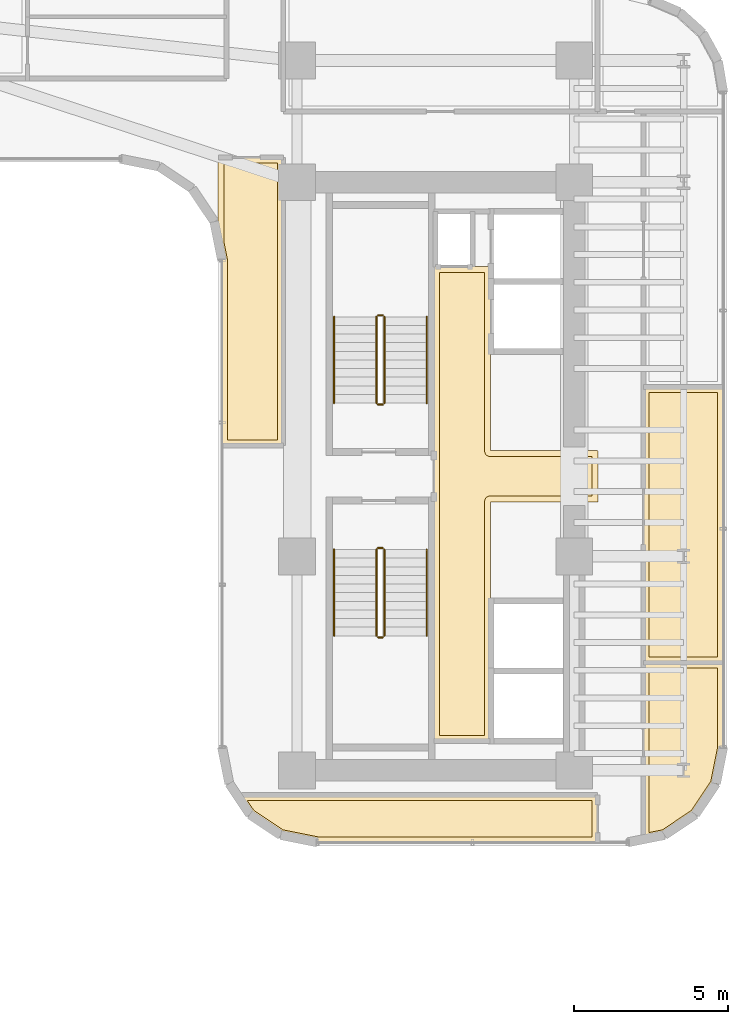
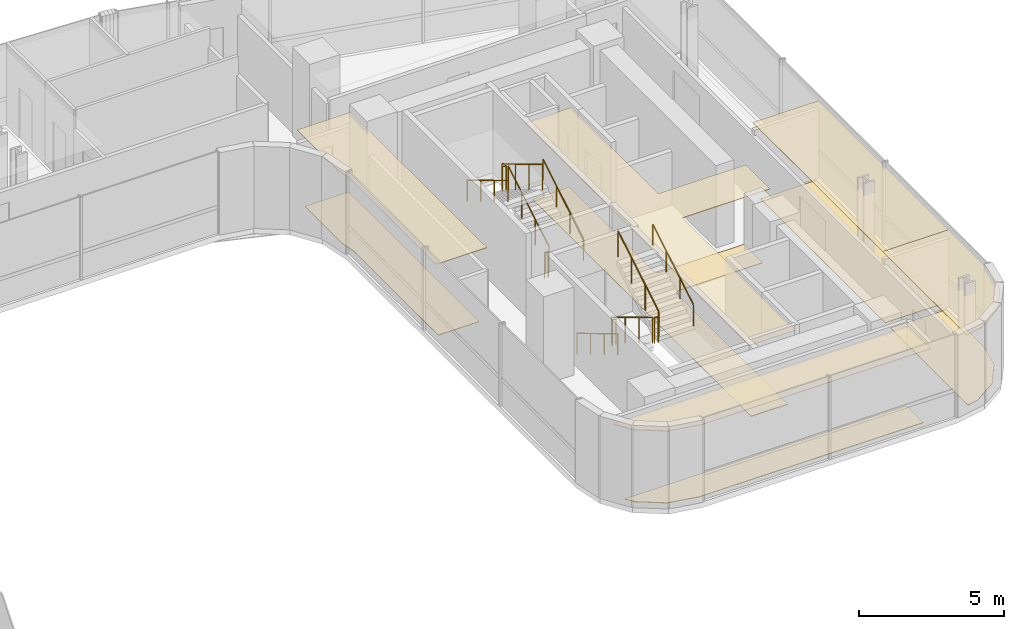
# One storey, part 33 of 35: 12 railings, 10 coverings.
"""IFC4 building model written with IfcOpenShell, lengths in metres."""

from ifc_helpers import new_model, si_unit, direction, frame, origin, origin_2d, place, context, subcontext, project, spatial, polyline, circle, outline, extrude, material, layer, layer_set, type_object, element, save


model = new_model("IFC4")

# Units and contexts
model_context = context("Model", 3, precision=1e-05, world=origin(), true_north=direction((0.0, 1.0)))
body_context = subcontext(model_context, "Body", "Model", "MODEL_VIEW")
ifc_project = project(units=[si_unit("LENGTHUNIT", "METRE"), si_unit("AREAUNIT", "SQUARE_METRE"), si_unit("VOLUMEUNIT", "CUBIC_METRE"), si_unit("PLANEANGLEUNIT", "RADIAN"), si_unit("MASSUNIT", "GRAM", prefix="KILO")], contexts=[model_context])

# Site, building, storey
site_placement = place(None, origin())
site = spatial("IfcSite", under=ifc_project, at=site_placement, CompositionType="ELEMENT")
building_placement = place(site_placement, origin())
building = spatial("IfcBuilding", under=site, at=building_placement, Name="Valdorenza Pilgrim Sanctuary Tower", CompositionType="ELEMENT")
storey_placement = place(building_placement, frame((0.0, 0.0, 105.699951171875)))
storey = spatial("IfcBuildingStorey", under=building, at=storey_placement, Name="L26", CompositionType="ELEMENT", Elevation=105.699951171875)

# Coverings
ifc_material_1 = material(Name="Micro-perforated acoustic mineral ceiling tile", Category="gypsum")
ifc_layer_1 = layer(ifc_material_1, 0.02490234375, Name="Micro-perforated acoustic mineral ceiling tile")
ifc_layer_set_1 = layer_set([ifc_layer_1], Name="Micro-perforated acoustic mineral ceiling tile")
covering_type_1 = type_object("IfcCoveringType", Name="COV-CLG-ACU", PredefinedType="CEILING", material=ifc_layer_set_1)
covering_1_placement = place(storey_placement, frame((0.0, 0.0, 3.16015625)))
element("IfcCovering", 1, at=covering_1_placement, inside=storey, type_object=covering_type_1, Name="L26 Core B Passenger Lift Lobby Acoustic Ceiling", PredefinedType="CEILING", context=body_context, shape_type="SweptSolid", body=[
    extrude(outline(polyline([(20.287109375, -0.814697265625), (20.287109375, 0.814697265625), (20.28662109375, 0.815185546875), (20.2861328125, 0.81640625), (20.28564453125, 0.81787109375), (20.285400390625, 0.819091796875), (20.28515625, 0.820556640625), (20.284912109375, 0.822021484375), (20.284912109375, 6.800048828125), (20.28515625, 6.801513671875), (20.285400390625, 6.802978515625), (20.28564453125, 6.804443359375), (20.2861328125, 6.8056640625), (20.286865234375, 6.80712890625), (20.28759765625, 6.808349609375), (20.288330078125, 6.8095703125), (20.289306640625, 6.810546875), (20.29052734375, 6.8115234375), (20.291748046875, 6.8125), (20.29296875, 6.813232421875), (20.294189453125, 6.81396484375), (20.295654296875, 6.814453125), (20.297119140625, 6.814697265625), (20.298583984375, 6.81494140625), (20.300048828125, 6.81494140625), (20.347900390625, 6.81494140625), (20.349365234375, 6.81494140625), (20.350830078125, 6.814697265625), (20.352294921875, 6.814453125), (20.353515625, 6.81396484375), (20.35498046875, 6.813232421875), (20.35546875, 6.81298828125), (21.544677734375, 6.81298828125), (21.545166015625, 6.813232421875), (21.54638671875, 6.81396484375), (21.5478515625, 6.814453125), (21.54931640625, 6.814697265625), (21.550537109375, 6.81494140625), (21.552001953125, 6.81494140625), (22.1201171875, 6.81494140625), (22.12158203125, 6.81494140625), (22.122802734375, 6.814697265625), (22.12451171875, 6.814453125), (22.125732421875, 6.81396484375), (22.127197265625, 6.813232421875), (22.12841796875, 6.8125), (22.12939453125, 6.8115234375), (22.130615234375, 6.810546875), (22.131591796875, 6.8095703125), (22.132568359375, 6.808349609375), (22.13330078125, 6.80712890625), (22.1337890625, 6.8056640625), (22.134521484375, 6.804443359375), (22.134765625, 6.802978515625), (22.135009765625, 6.801513671875), (22.135009765625, 6.800048828125), (22.135009765625, 0.8349609375), (25.60009765625, 0.8349609375), (25.6015625, 0.8349609375), (25.602783203125, 0.834716796875), (25.6044921875, 0.83447265625), (25.605712890625, 0.833984375), (25.607177734375, 0.833251953125), (25.6083984375, 0.83251953125), (25.609619140625, 0.83154296875), (25.610595703125, 0.83056640625), (25.611572265625, 0.82958984375), (25.612548828125, 0.828369140625), (25.61328125, 0.8271484375), (25.614013671875, 0.82568359375), (25.614501953125, 0.824462890625), (25.61474609375, 0.822998046875), (25.614990234375, 0.821533203125), (25.614990234375, 0.820068359375), (25.614990234375, -0.820068359375), (25.614990234375, -0.821533203125), (25.61474609375, -0.822998046875), (25.614501953125, -0.824462890625), (25.614013671875, -0.82568359375), (25.61328125, -0.8271484375), (25.612548828125, -0.828369140625), (25.611572265625, -0.82958984375), (25.610595703125, -0.83056640625), (25.609619140625, -0.83154296875), (25.6083984375, -0.83251953125), (25.607177734375, -0.833251953125), (25.605712890625, -0.833984375), (25.6044921875, -0.83447265625), (25.602783203125, -0.834716796875), (25.6015625, -0.8349609375), (25.60009765625, -0.8349609375), (22.135009765625, -0.8349609375), (22.135009765625, -8.60009765625), (22.135009765625, -8.6015625), (22.134765625, -8.602783203125), (22.134521484375, -8.6044921875), (22.1337890625, -8.605712890625), (22.13330078125, -8.607177734375), (22.132568359375, -8.6083984375), (22.131591796875, -8.609619140625), (22.130615234375, -8.610595703125), (22.12939453125, -8.611572265625), (22.12841796875, -8.612548828125), (22.127197265625, -8.61328125), (22.125732421875, -8.614013671875), (22.12451171875, -8.614501953125), (22.122802734375, -8.61474609375), (22.12158203125, -8.614990234375), (22.1201171875, -8.614990234375), (20.300048828125, -8.614990234375), (20.298583984375, -8.614990234375), (20.297119140625, -8.61474609375), (20.295654296875, -8.614501953125), (20.294189453125, -8.614013671875), (20.29296875, -8.61328125), (20.291748046875, -8.612548828125), (20.29052734375, -8.611572265625), (20.289306640625, -8.610595703125), (20.288330078125, -8.609619140625), (20.28759765625, -8.6083984375), (20.286865234375, -8.607177734375), (20.2861328125, -8.605712890625), (20.28564453125, -8.6044921875), (20.285400390625, -8.602783203125), (20.28515625, -8.6015625), (20.284912109375, -8.60009765625), (20.284912109375, -0.822021484375), (20.28515625, -0.820556640625), (20.285400390625, -0.819091796875), (20.28564453125, -0.81787109375), (20.2861328125, -0.81640625), (20.28662109375, -0.815185546875), (20.287109375, -0.814697265625)])), origin(), (0.0, 0.0, 1.0), 0.02490234375),
])
covering_2_placement = place(storey_placement, frame((0.0, 0.0, 3.16015625)))
element("IfcCovering", 2, at=covering_2_placement, inside=storey, type_object=covering_type_1, Name="L26 Sacred Manuscript Archive L26-BS Acoustic Ceiling", PredefinedType="CEILING", context=body_context, shape_type="SweptSolid", body=[
    extrude(outline(polyline([(25.614990234375, -11.889892578125), (25.614990234375, -11.8916015625), (25.61474609375, -11.892822265625), (25.614501953125, -11.894287109375), (25.614013671875, -11.895751953125), (25.61328125, -11.897216796875), (25.612548828125, -11.898193359375), (25.611572265625, -11.8994140625), (25.610595703125, -11.900634765625), (25.609619140625, -11.901611328125), (25.6083984375, -11.902587890625), (25.607177734375, -11.9033203125), (25.605712890625, -11.90380859375), (25.6044921875, -11.904296875), (25.602783203125, -11.90478515625), (25.6015625, -11.90478515625), (25.60009765625, -11.905029296875), (16.5107421875, -11.905029296875), (16.509521484375, -11.90478515625), (16.5078125, -11.90478515625), (15.3154296875, -11.66748046875), (15.31396484375, -11.6669921875), (15.3125, -11.66650390625), (15.311279296875, -11.666015625), (15.31005859375, -11.665283203125), (14.308349609375, -10.995849609375), (14.30712890625, -10.9951171875), (14.305908203125, -10.993896484375), (14.304931640625, -10.992919921875), (14.30419921875, -10.99169921875), (13.880859375, -10.3583984375), (13.880126953125, -10.357177734375), (13.87939453125, -10.355712890625), (13.87890625, -10.3544921875), (13.878662109375, -10.352783203125), (13.87841796875, -10.3515625), (13.87841796875, -10.35009765625), (13.87841796875, -10.348388671875), (13.878662109375, -10.34716796875), (13.87890625, -10.345703125), (13.87939453125, -10.34423828125), (13.880126953125, -10.343017578125), (13.880859375, -10.341796875), (13.881591796875, -10.340576171875), (13.8828125, -10.33935546875), (13.8837890625, -10.33837890625), (13.885009765625, -10.33740234375), (13.88623046875, -10.3369140625), (13.8876953125, -10.336181640625), (13.888916015625, -10.335693359375), (13.890380859375, -10.335205078125), (13.891845703125, -10.335205078125), (13.893310546875, -10.3349609375), (25.60009765625, -10.3349609375), (25.6015625, -10.335205078125), (25.602783203125, -10.335205078125), (25.6044921875, -10.335693359375), (25.605712890625, -10.336181640625), (25.607177734375, -10.3369140625), (25.6083984375, -10.33740234375), (25.609619140625, -10.33837890625), (25.610595703125, -10.33935546875), (25.611572265625, -10.340576171875), (25.612548828125, -10.341796875), (25.61328125, -10.343017578125), (25.614013671875, -10.34423828125), (25.614501953125, -10.345703125), (25.61474609375, -10.34716796875), (25.614990234375, -10.348388671875), (25.614990234375, -10.35009765625), (25.614990234375, -11.889892578125)])), origin(), (0.0, 0.0, 1.0), 0.02490234375),
])
covering_3_placement = place(storey_placement, frame((0.0, 0.0, 3.16015625)))
element("IfcCovering", 3, at=covering_3_placement, inside=storey, type_object=covering_type_1, Name="L26 East Reading Lounge L26-EB1 Acoustic Ceiling", PredefinedType="CEILING", context=body_context, shape_type="SweptSolid", body=[
    extrude(outline(polyline([(29.68994140625, -6.034912109375), (29.69140625, -6.03515625), (29.69287109375, -6.035400390625), (29.6943359375, -6.03564453125), (29.69580078125, -6.0361328125), (29.697021484375, -6.036865234375), (29.6982421875, -6.03759765625), (29.699462890625, -6.038330078125), (29.70068359375, -6.039306640625), (29.70166015625, -6.04052734375), (29.702392578125, -6.041748046875), (29.703125, -6.04296875), (29.703857421875, -6.044189453125), (29.704345703125, -6.045654296875), (29.70458984375, -6.047119140625), (29.704833984375, -6.048583984375), (29.705078125, -6.050048828125), (29.705078125, -8.789306640625), (29.704833984375, -8.79052734375), (29.70458984375, -8.7919921875), (29.467529296875, -9.984619140625), (29.467041015625, -9.986083984375), (29.466552734375, -9.9873046875), (29.466064453125, -9.98876953125), (29.46533203125, -9.989990234375), (28.7958984375, -10.99169921875), (28.794921875, -10.992919921875), (28.7939453125, -10.993896484375), (28.79296875, -10.9951171875), (28.791748046875, -10.995849609375), (27.7900390625, -11.665283203125), (27.788818359375, -11.666015625), (27.787353515625, -11.66650390625), (27.785888671875, -11.6669921875), (27.78466796875, -11.66748046875), (27.102783203125, -11.802978515625), (27.1015625, -11.80322265625), (27.10009765625, -11.803466796875), (27.098388671875, -11.80322265625), (27.09716796875, -11.802978515625), (27.095703125, -11.802734375), (27.09423828125, -11.80224609375), (27.093017578125, -11.801513671875), (27.091796875, -11.80078125), (27.090576171875, -11.800048828125), (27.08935546875, -11.799072265625), (27.08837890625, -11.7978515625), (27.08740234375, -11.796630859375), (27.0869140625, -11.79541015625), (27.086181640625, -11.794189453125), (27.085693359375, -11.792724609375), (27.085205078125, -11.791259765625), (27.085205078125, -11.789794921875), (27.0849609375, -11.788330078125), (27.0849609375, -6.050048828125), (27.085205078125, -6.048583984375), (27.085205078125, -6.047119140625), (27.085693359375, -6.045654296875), (27.086181640625, -6.044189453125), (27.0869140625, -6.04296875), (27.08740234375, -6.041748046875), (27.08837890625, -6.04052734375), (27.08935546875, -6.039306640625), (27.090576171875, -6.038330078125), (27.091796875, -6.03759765625), (27.093017578125, -6.036865234375), (27.09423828125, -6.0361328125), (27.095703125, -6.03564453125), (27.09716796875, -6.035400390625), (27.098388671875, -6.03515625), (27.10009765625, -6.034912109375), (29.68994140625, -6.034912109375)])), origin(), (0.0, 0.0, 1.0), 0.02490234375),
])
covering_4_placement = place(storey_placement, frame((0.0, 0.0, 3.16015625)))
element("IfcCovering", 4, at=covering_4_placement, inside=storey, type_object=covering_type_1, Name="L26 East Reading Lounge L26-EB2 Acoustic Ceiling", PredefinedType="CEILING", context=body_context, shape_type="SweptSolid", body=[
    extrude(outline(polyline([(27.0849609375, 2.89990234375), (27.085205078125, 2.901611328125), (27.085205078125, 2.90283203125), (27.085693359375, 2.904296875), (27.086181640625, 2.90576171875), (27.0869140625, 2.906982421875), (27.08740234375, 2.908203125), (27.08837890625, 2.909423828125), (27.08935546875, 2.91064453125), (27.090576171875, 2.91162109375), (27.091796875, 2.91259765625), (27.093017578125, 2.9130859375), (27.09423828125, 2.913818359375), (27.095703125, 2.914306640625), (27.09716796875, 2.914794921875), (27.098388671875, 2.914794921875), (27.10009765625, 2.9150390625), (29.68994140625, 2.9150390625), (29.69140625, 2.914794921875), (29.69287109375, 2.914794921875), (29.6943359375, 2.914306640625), (29.69580078125, 2.913818359375), (29.697021484375, 2.9130859375), (29.6982421875, 2.91259765625), (29.699462890625, 2.91162109375), (29.70068359375, 2.91064453125), (29.70166015625, 2.909423828125), (29.702392578125, 2.908203125), (29.703125, 2.906982421875), (29.703857421875, 2.90576171875), (29.704345703125, 2.904296875), (29.70458984375, 2.90283203125), (29.704833984375, 2.901611328125), (29.705078125, 2.89990234375), (29.705078125, -6.048095703125), (29.704833984375, -6.049560546875), (29.70458984375, -6.05078125), (29.704345703125, -6.052490234375), (29.703857421875, -6.0537109375), (29.703125, -6.05517578125), (29.702392578125, -6.056396484375), (29.70166015625, -6.0576171875), (29.70068359375, -6.05859375), (29.699462890625, -6.0595703125), (29.6982421875, -6.060546875), (29.697021484375, -6.061279296875), (29.69580078125, -6.06201171875), (29.6943359375, -6.0625), (29.69287109375, -6.062744140625), (29.69140625, -6.06298828125), (29.68994140625, -6.06298828125), (27.10009765625, -6.06298828125), (27.098388671875, -6.06298828125), (27.09716796875, -6.062744140625), (27.095703125, -6.0625), (27.09423828125, -6.06201171875), (27.093017578125, -6.061279296875), (27.091796875, -6.060546875), (27.090576171875, -6.0595703125), (27.08935546875, -6.05859375), (27.08837890625, -6.0576171875), (27.08740234375, -6.056396484375), (27.0869140625, -6.05517578125), (27.086181640625, -6.0537109375), (27.085693359375, -6.052490234375), (27.085205078125, -6.05078125), (27.085205078125, -6.049560546875), (27.0849609375, -6.048095703125), (27.0849609375, 2.89990234375)])), origin(), (0.0, 0.0, 1.0), 0.02490234375),
])
covering_5_placement = place(storey_placement, frame((0.0, 0.0, 3.16015625)))
element("IfcCovering", 5, at=covering_5_placement, inside=storey, type_object=covering_type_1, Name="L26 Courtyard Overlook Salon L26 Acoustic Ceiling", PredefinedType="CEILING", context=body_context, shape_type="SweptSolid", body=[
    extrude(outline(polyline([(15.39990234375, 10.364990234375), (15.401611328125, 10.364990234375), (15.40283203125, 10.36474609375), (15.404296875, 10.364501953125), (15.40576171875, 10.364013671875), (15.406982421875, 10.36328125), (15.408203125, 10.362548828125), (15.409423828125, 10.361572265625), (15.41064453125, 10.360595703125), (15.41162109375, 10.359619140625), (15.41259765625, 10.3583984375), (15.4130859375, 10.357177734375), (15.413818359375, 10.355712890625), (15.414306640625, 10.3544921875), (15.414794921875, 10.352783203125), (15.414794921875, 10.3515625), (15.4150390625, 10.35009765625), (15.4150390625, 1.0), (15.414794921875, 0.99853515625), (15.414794921875, 0.9970703125), (15.414306640625, 0.99560546875), (15.413818359375, 0.994384765625), (15.4130859375, 0.992919921875), (15.41259765625, 0.99169921875), (15.41162109375, 0.990478515625), (15.41064453125, 0.989501953125), (15.409423828125, 0.98828125), (15.408203125, 0.987548828125), (15.406982421875, 0.98681640625), (15.40576171875, 0.986083984375), (15.404296875, 0.985595703125), (15.40283203125, 0.9853515625), (15.401611328125, 0.985107421875), (15.39990234375, 0.985107421875), (13.409912109375, 0.985107421875), (13.408447265625, 0.985107421875), (13.406982421875, 0.9853515625), (13.405517578125, 0.985595703125), (13.404296875, 0.986083984375), (13.40283203125, 0.98681640625), (13.401611328125, 0.987548828125), (13.400390625, 0.98828125), (13.3994140625, 0.989501953125), (13.3984375, 0.990478515625), (13.3974609375, 0.99169921875), (13.396728515625, 0.992919921875), (13.39599609375, 0.994384765625), (13.3955078125, 0.99560546875), (13.395263671875, 0.9970703125), (13.39501953125, 0.99853515625), (13.39501953125, 1.0), (13.39501953125, 6.99951171875), (13.39453125, 7.00927734375), (13.39306640625, 7.018798828125), (13.285400390625, 7.560791015625), (13.28515625, 7.562255859375), (13.284912109375, 7.563720703125), (13.284912109375, 10.35009765625), (13.28515625, 10.3515625), (13.285400390625, 10.352783203125), (13.28564453125, 10.3544921875), (13.2861328125, 10.355712890625), (13.286865234375, 10.357177734375), (13.28759765625, 10.3583984375), (13.288330078125, 10.359619140625), (13.289306640625, 10.360595703125), (13.29052734375, 10.361572265625), (13.291748046875, 10.362548828125), (13.29296875, 10.36328125), (13.294189453125, 10.364013671875), (13.295654296875, 10.364501953125), (13.297119140625, 10.36474609375), (13.298583984375, 10.364990234375), (13.300048828125, 10.364990234375), (15.39990234375, 10.364990234375)])), origin(), (0.0, 0.0, 1.0), 0.02490234375),
])
ifc_material_2 = material(Name="Honed travertine stone flooring", Category="masonry")
ifc_layer_2 = layer(ifc_material_2, 0.030029296875, Name="Honed travertine stone flooring")
ifc_layer_set_2 = layer_set([ifc_layer_2], Name="Honed travertine stone flooring")
covering_type_2 = type_object("IfcCoveringType", Name="COV-FLR-TRV", PredefinedType="FLOORING", material=ifc_layer_set_2)
covering_6_placement = place(storey_placement, origin())
element("IfcCovering", 6, at=covering_6_placement, inside=storey, type_object=covering_type_2, Name="L26 Core B Passenger Lift Lobby Flooring", PredefinedType="FLOORING", context=body_context, shape_type="SweptSolid", body=[
    extrude(outline(polyline([(20.47998046875, 6.617919921875), (21.550048828125, 6.617919921875), (21.550537109375, 6.617919921875), (21.93994140625, 6.619384765625), (21.93994140625, 0.820068359375), (21.94091796875, 0.802490234375), (21.943603515625, 0.784912109375), (21.94775390625, 0.767578125), (21.95361328125, 0.751220703125), (21.961181640625, 0.735107421875), (21.97021484375, 0.719970703125), (21.98095703125, 0.705810546875), (21.99267578125, 0.692626953125), (22.005859375, 0.680908203125), (22.02001953125, 0.67041015625), (22.03515625, 0.661376953125), (22.051025390625, 0.65380859375), (22.067626953125, 0.647705078125), (22.0849609375, 0.6435546875), (22.102294921875, 0.640869140625), (22.1201171875, 0.639892578125), (25.419921875, 0.639892578125), (25.419921875, -0.639892578125), (22.1201171875, -0.639892578125), (22.102294921875, -0.640869140625), (22.0849609375, -0.6435546875), (22.067626953125, -0.647705078125), (22.051025390625, -0.65380859375), (22.03515625, -0.661376953125), (22.02001953125, -0.67041015625), (22.005859375, -0.680908203125), (21.99267578125, -0.692626953125), (21.98095703125, -0.705810546875), (21.97021484375, -0.719970703125), (21.961181640625, -0.735107421875), (21.95361328125, -0.751220703125), (21.94775390625, -0.767578125), (21.943603515625, -0.784912109375), (21.94091796875, -0.802490234375), (21.93994140625, -0.820068359375), (21.93994140625, -8.419921875), (20.47998046875, -8.419921875), (20.47998046875, -0.846923828125), (20.47998046875, -0.8466796875), (20.47998046875, -0.8466796875), (20.481689453125, -0.8291015625), (20.481689453125, -0.828857421875), (20.48193359375, -0.820068359375), (20.48193359375, 0.820068359375), (20.47998046875, 6.617919921875)])), origin(), (0.0, 0.0, 1.0), 0.025146484375),
])
covering_7_placement = place(storey_placement, origin())
element("IfcCovering", 7, at=covering_7_placement, inside=storey, type_object=covering_type_2, Name="L26 Sacred Manuscript Archive L26-BS Flooring", PredefinedType="FLOORING", context=body_context, shape_type="SweptSolid", body=[
    extrude(outline(polyline([(25.419921875, -11.7099609375), (16.528564453125, -11.7099609375), (15.388671875, -11.483154296875), (14.4462890625, -10.853515625), (14.22998046875, -10.530029296875), (25.419921875, -10.530029296875), (25.419921875, -11.7099609375)])), origin(), (0.0, 0.0, 1.0), 0.025146484375),
])
covering_8_placement = place(storey_placement, origin())
element("IfcCovering", 8, at=covering_8_placement, inside=storey, type_object=covering_type_2, Name="L26 East Reading Lounge L26-EB1 Flooring", PredefinedType="FLOORING", context=body_context, shape_type="SweptSolid", body=[
    extrude(outline(polyline([(29.510009765625, -6.22998046875), (29.510009765625, -8.771484375), (29.283203125, -9.911376953125), (28.653564453125, -10.853515625), (27.71142578125, -11.483154296875), (27.280029296875, -11.569091796875), (27.280029296875, -6.22998046875), (29.510009765625, -6.22998046875)])), origin(), (0.0, 0.0, 1.0), 0.025146484375),
])
covering_9_placement = place(storey_placement, origin())
element("IfcCovering", 9, at=covering_9_placement, inside=storey, type_object=covering_type_2, Name="L26 East Reading Lounge L26-EB2 Flooring", PredefinedType="FLOORING", context=body_context, shape_type="SweptSolid", body=[
    extrude(outline(polyline([(27.280029296875, 2.719970703125), (29.510009765625, 2.719970703125), (29.510009765625, -5.867919921875), (27.280029296875, -5.867919921875), (27.280029296875, 2.719970703125)])), origin(), (0.0, 0.0, 1.0), 0.025146484375),
])
covering_10_placement = place(storey_placement, origin())
element("IfcCovering", 10, at=covering_10_placement, inside=storey, type_object=covering_type_2, Name="L26 Courtyard Overlook Salon L26 Flooring", PredefinedType="FLOORING", context=body_context, shape_type="SweptSolid", body=[
    extrude(outline(polyline([(15.219970703125, 10.169921875), (15.219970703125, 1.179931640625), (13.590087890625, 1.179931640625), (13.590087890625, 7.0), (13.58984375, 7.0087890625), (13.58935546875, 7.01953125), (13.58740234375, 7.037109375), (13.5859375, 7.0478515625), (13.58447265625, 7.056640625), (13.47998046875, 7.58154296875), (13.47998046875, 10.169921875), (15.219970703125, 10.169921875)])), origin(), (0.0, 0.0, 1.0), 0.025146484375),
])

# Railings
ifc_material_3 = material(Name="Stainless steel Grade 316", Category="steel")
railing_type_1 = type_object("IfcRailingType", Name="RLG-GRD-1120", PredefinedType="GUARDRAIL", material=ifc_material_3)
railing_1_placement = place(storey_placement, frame((18.679931640625, 2.3798828125, 0.168212890625)))
element("IfcRailing", 11, at=railing_1_placement, inside=storey, type_object=railing_type_1, Name="L26 ST-B1 stair guard 1", PredefinedType="GUARDRAIL", context=body_context, shape_type="SweptSolid", body=[
    extrude(circle(Radius=0.02392578125, at=origin_2d()), frame((0.0, 0.0, 1.076171875), z_axis=(0.0, 0.857242210791, 0.514913383045), x_axis=(-1.0, 0.0, 0.0)), (0.0, 0.0, 1.0), 3.266357421875),
    extrude(circle(Radius=0.02099609375, at=origin_2d()), origin(), (0.0, 0.0, 1.0), 1.052001953125),
    extrude(circle(Radius=0.02099609375, at=origin_2d()), frame((0.0, 0.933349609375, 0.560546875)), (0.0, 0.0, 1.0), 1.052001953125),
    extrude(circle(Radius=0.02099609375, at=origin_2d()), frame((0.0, 1.86669921875, 1.121337890625)), (0.0, 0.0, 1.0), 1.052001953125),
    extrude(circle(Radius=0.02099609375, at=origin_2d()), frame((0.0, 2.800048828125, 1.681884765625)), (0.0, 0.0, 1.0), 1.052001953125),
])
railing_2_placement = place(storey_placement, frame((18.6298828125, 5.22998046875, 1.85009765625)))
element("IfcRailing", 12, at=railing_2_placement, inside=storey, type_object=railing_type_1, Name="L26 ST-B1 stair guard 2", PredefinedType="GUARDRAIL", context=body_context, shape_type="SweptSolid", body=[
    extrude(circle(Radius=0.02392578125, at=origin_2d()), frame((0.0, 0.0, 1.076171875), z_axis=(-1.0, 0.0, 0.0), x_axis=(0.0, -1.0, 0.0)), (0.0, 0.0, 1.0), 0.14990234375),
    extrude(circle(Radius=0.02099609375, at=origin_2d()), origin(), (0.0, 0.0, 1.0), 1.052001953125),
    extrude(circle(Radius=0.02099609375, at=origin_2d()), frame((-0.14990234375, 0.0, 0.0)), (0.0, 0.0, 1.0), 1.052001953125),
])
railing_3_placement = place(storey_placement, frame((18.429931640625, 5.179931640625, 2.018310546875)))
element("IfcRailing", 13, at=railing_3_placement, inside=storey, type_object=railing_type_1, Name="L26 ST-B1 stair guard 3", PredefinedType="GUARDRAIL", context=body_context, shape_type="SweptSolid", body=[
    extrude(circle(Radius=0.02392578125, at=origin_2d()), frame((0.0, 0.0, 1.076171875), z_axis=(0.0, -0.857275202839, 0.514858452973), x_axis=(1.0, 0.0, 0.0)), (0.0, 0.0, 1.0), 3.26611328125),
    extrude(circle(Radius=0.02099609375, at=origin_2d()), origin(), (0.0, 0.0, 1.0), 1.052001953125),
    extrude(circle(Radius=0.02099609375, at=origin_2d()), frame((0.0, -0.933349609375, 0.560546875)), (0.0, 0.0, 1.0), 1.052001953125),
    extrude(circle(Radius=0.02099609375, at=origin_2d()), frame((0.0, -1.86669921875, 1.12109375)), (0.0, 0.0, 1.0), 1.052001953125),
    extrude(circle(Radius=0.02099609375, at=origin_2d()), frame((0.0, -2.800048828125, 1.681640625)), (0.0, 0.0, 1.0), 1.052001953125),
])
railing_4_placement = place(storey_placement, frame((18.6298828125, 2.330078125, 0.0)))
element("IfcRailing", 14, at=railing_4_placement, inside=storey, type_object=railing_type_1, Name="L26 ST-B1 stair guard 4", PredefinedType="GUARDRAIL", context=body_context, shape_type="SweptSolid", body=[
    extrude(circle(Radius=0.02392578125, at=origin_2d()), frame((0.0, 0.0, 1.076171875), z_axis=(-1.0, 0.0, 0.0), x_axis=(0.0, -1.0, 0.0)), (0.0, 0.0, 1.0), 0.14990234375),
    extrude(circle(Radius=0.02099609375, at=origin_2d()), origin(), (0.0, 0.0, 1.0), 1.052001953125),
    extrude(circle(Radius=0.02099609375, at=origin_2d()), frame((-0.14990234375, 0.0, 0.0)), (0.0, 0.0, 1.0), 1.052001953125),
])
railing_5_placement = place(storey_placement, frame((18.429931640625, -2.3798828125, 0.168212890625)))
element("IfcRailing", 15, at=railing_5_placement, inside=storey, type_object=railing_type_1, Name="L26 ST-B2 stair guard 1", PredefinedType="GUARDRAIL", context=body_context, shape_type="SweptSolid", body=[
    extrude(circle(Radius=0.02392578125, at=origin_2d()), frame((0.0, 0.0, 1.076171875), z_axis=(0.0, -0.857242210791, 0.514913383045), x_axis=(1.0, 0.0, 0.0)), (0.0, 0.0, 1.0), 3.266357421875),
    extrude(circle(Radius=0.02099609375, at=origin_2d()), origin(), (0.0, 0.0, 1.0), 1.052001953125),
    extrude(circle(Radius=0.02099609375, at=origin_2d()), frame((0.0, -0.933349609375, 0.560546875)), (0.0, 0.0, 1.0), 1.052001953125),
    extrude(circle(Radius=0.02099609375, at=origin_2d()), frame((0.0, -1.86669921875, 1.121337890625)), (0.0, 0.0, 1.0), 1.052001953125),
    extrude(circle(Radius=0.02099609375, at=origin_2d()), frame((0.0, -2.800048828125, 1.681884765625)), (0.0, 0.0, 1.0), 1.052001953125),
])
railing_6_placement = place(storey_placement, frame((18.47998046875, -5.22998046875, 1.85009765625)))
element("IfcRailing", 16, at=railing_6_placement, inside=storey, type_object=railing_type_1, Name="L26 ST-B2 stair guard 2", PredefinedType="GUARDRAIL", context=body_context, shape_type="SweptSolid", body=[
    extrude(circle(Radius=0.02392578125, at=origin_2d()), frame((0.0, 0.0, 1.076171875), z_axis=(1.0, 0.0, 0.0), x_axis=(0.0, 1.0, 0.0)), (0.0, 0.0, 1.0), 0.14990234375),
    extrude(circle(Radius=0.02099609375, at=origin_2d()), origin(), (0.0, 0.0, 1.0), 1.052001953125),
    extrude(circle(Radius=0.02099609375, at=origin_2d()), frame((0.14990234375, 0.0, 0.0)), (0.0, 0.0, 1.0), 1.052001953125),
])
railing_7_placement = place(storey_placement, frame((18.679931640625, -5.179931640625, 2.018310546875)))
element("IfcRailing", 17, at=railing_7_placement, inside=storey, type_object=railing_type_1, Name="L26 ST-B2 stair guard 3", PredefinedType="GUARDRAIL", context=body_context, shape_type="SweptSolid", body=[
    extrude(circle(Radius=0.02392578125, at=origin_2d()), frame((0.0, 0.0, 1.076171875), z_axis=(0.0, 0.857275202839, 0.514858452973), x_axis=(-1.0, 0.0, 0.0)), (0.0, 0.0, 1.0), 3.26611328125),
    extrude(circle(Radius=0.02099609375, at=origin_2d()), origin(), (0.0, 0.0, 1.0), 1.052001953125),
    extrude(circle(Radius=0.02099609375, at=origin_2d()), frame((0.0, 0.933349609375, 0.560546875)), (0.0, 0.0, 1.0), 1.052001953125),
    extrude(circle(Radius=0.02099609375, at=origin_2d()), frame((0.0, 1.86669921875, 1.12109375)), (0.0, 0.0, 1.0), 1.052001953125),
    extrude(circle(Radius=0.02099609375, at=origin_2d()), frame((0.0, 2.800048828125, 1.681640625)), (0.0, 0.0, 1.0), 1.052001953125),
])
railing_8_placement = place(storey_placement, frame((18.47998046875, -2.330078125, 0.0)))
element("IfcRailing", 18, at=railing_8_placement, inside=storey, type_object=railing_type_1, Name="L26 ST-B2 stair guard 4", PredefinedType="GUARDRAIL", context=body_context, shape_type="SweptSolid", body=[
    extrude(circle(Radius=0.02392578125, at=origin_2d()), frame((0.0, 0.0, 1.076171875), z_axis=(1.0, 0.0, 0.0), x_axis=(0.0, 1.0, 0.0)), (0.0, 0.0, 1.0), 0.14990234375),
    extrude(circle(Radius=0.02099609375, at=origin_2d()), origin(), (0.0, 0.0, 1.0), 1.052001953125),
    extrude(circle(Radius=0.02099609375, at=origin_2d()), frame((0.14990234375, 0.0, 0.0)), (0.0, 0.0, 1.0), 1.052001953125),
])
ifc_material_4 = material(Name="Brushed stainless steel Grade 316", Category="steel")
railing_type_2 = type_object("IfcRailingType", Name="RLG-HND-920", PredefinedType="HANDRAIL", material=ifc_material_4)
railing_9_placement = place(storey_placement, frame((20.06005859375, 2.3798828125, 0.168212890625)))
element("IfcRailing", 19, at=railing_9_placement, inside=storey, type_object=railing_type_2, Name="L26 ST-B1 stair handrail 1", PredefinedType="HANDRAIL", context=body_context, shape_type="SweptSolid", body=[
    extrude(circle(Radius=0.02392578125, at=origin_2d()), frame((0.0, 0.0, 0.8759765625), z_axis=(0.0, 0.857242210791, 0.514913383045), x_axis=(-1.0, 0.0, 0.0)), (0.0, 0.0, 1.0), 3.266357421875),
    extrude(circle(Radius=0.02099609375, at=origin_2d()), origin(), (0.0, 0.0, 1.0), 0.851806640625),
    extrude(circle(Radius=0.02099609375, at=origin_2d()), frame((0.0, 0.933349609375, 0.560546875)), (0.0, 0.0, 1.0), 0.851806640625),
    extrude(circle(Radius=0.02099609375, at=origin_2d()), frame((0.0, 1.86669921875, 1.121337890625)), (0.0, 0.0, 1.0), 0.851806640625),
    extrude(circle(Radius=0.02099609375, at=origin_2d()), frame((0.0, 2.800048828125, 1.681884765625)), (0.0, 0.0, 1.0), 0.851806640625),
])
railing_10_placement = place(storey_placement, frame((17.050048828125, 5.179931640625, 2.018310546875)))
element("IfcRailing", 20, at=railing_10_placement, inside=storey, type_object=railing_type_2, Name="L26 ST-B1 stair handrail 2", PredefinedType="HANDRAIL", context=body_context, shape_type="SweptSolid", body=[
    extrude(circle(Radius=0.02392578125, at=origin_2d()), frame((0.0, 0.0, 0.8759765625), z_axis=(0.0, -0.857275202839, 0.514858452973), x_axis=(1.0, 0.0, 0.0)), (0.0, 0.0, 1.0), 3.26611328125),
    extrude(circle(Radius=0.02099609375, at=origin_2d()), origin(), (0.0, 0.0, 1.0), 0.851806640625),
    extrude(circle(Radius=0.02099609375, at=origin_2d()), frame((0.0, -0.933349609375, 0.560546875)), (0.0, 0.0, 1.0), 0.851806640625),
    extrude(circle(Radius=0.02099609375, at=origin_2d()), frame((0.0, -1.86669921875, 1.12109375)), (0.0, 0.0, 1.0), 0.851806640625),
    extrude(circle(Radius=0.02099609375, at=origin_2d()), frame((0.0, -2.800048828125, 1.681640625)), (0.0, 0.0, 1.0), 0.851806640625),
])
railing_11_placement = place(storey_placement, frame((17.050048828125, -2.3798828125, 0.168212890625)))
element("IfcRailing", 21, at=railing_11_placement, inside=storey, type_object=railing_type_2, Name="L26 ST-B2 stair handrail 1", PredefinedType="HANDRAIL", context=body_context, shape_type="SweptSolid", body=[
    extrude(circle(Radius=0.02392578125, at=origin_2d()), frame((0.0, 0.0, 0.8759765625), z_axis=(0.0, -0.857242210791, 0.514913383045), x_axis=(1.0, 0.0, 0.0)), (0.0, 0.0, 1.0), 3.266357421875),
    extrude(circle(Radius=0.02099609375, at=origin_2d()), origin(), (0.0, 0.0, 1.0), 0.851806640625),
    extrude(circle(Radius=0.02099609375, at=origin_2d()), frame((0.0, -0.933349609375, 0.560546875)), (0.0, 0.0, 1.0), 0.851806640625),
    extrude(circle(Radius=0.02099609375, at=origin_2d()), frame((0.0, -1.86669921875, 1.121337890625)), (0.0, 0.0, 1.0), 0.851806640625),
    extrude(circle(Radius=0.02099609375, at=origin_2d()), frame((0.0, -2.800048828125, 1.681884765625)), (0.0, 0.0, 1.0), 0.851806640625),
])
railing_12_placement = place(storey_placement, frame((20.06005859375, -5.179931640625, 2.018310546875)))
element("IfcRailing", 22, at=railing_12_placement, inside=storey, type_object=railing_type_2, Name="L26 ST-B2 stair handrail 2", PredefinedType="HANDRAIL", context=body_context, shape_type="SweptSolid", body=[
    extrude(circle(Radius=0.02392578125, at=origin_2d()), frame((0.0, 0.0, 0.8759765625), z_axis=(0.0, 0.857275202839, 0.514858452973), x_axis=(-1.0, 0.0, 0.0)), (0.0, 0.0, 1.0), 3.26611328125),
    extrude(circle(Radius=0.02099609375, at=origin_2d()), origin(), (0.0, 0.0, 1.0), 0.851806640625),
    extrude(circle(Radius=0.02099609375, at=origin_2d()), frame((0.0, 0.933349609375, 0.560546875)), (0.0, 0.0, 1.0), 0.851806640625),
    extrude(circle(Radius=0.02099609375, at=origin_2d()), frame((0.0, 1.86669921875, 1.12109375)), (0.0, 0.0, 1.0), 0.851806640625),
    extrude(circle(Radius=0.02099609375, at=origin_2d()), frame((0.0, 2.800048828125, 1.681640625)), (0.0, 0.0, 1.0), 0.851806640625),
])

save(model, "model.ifc")
